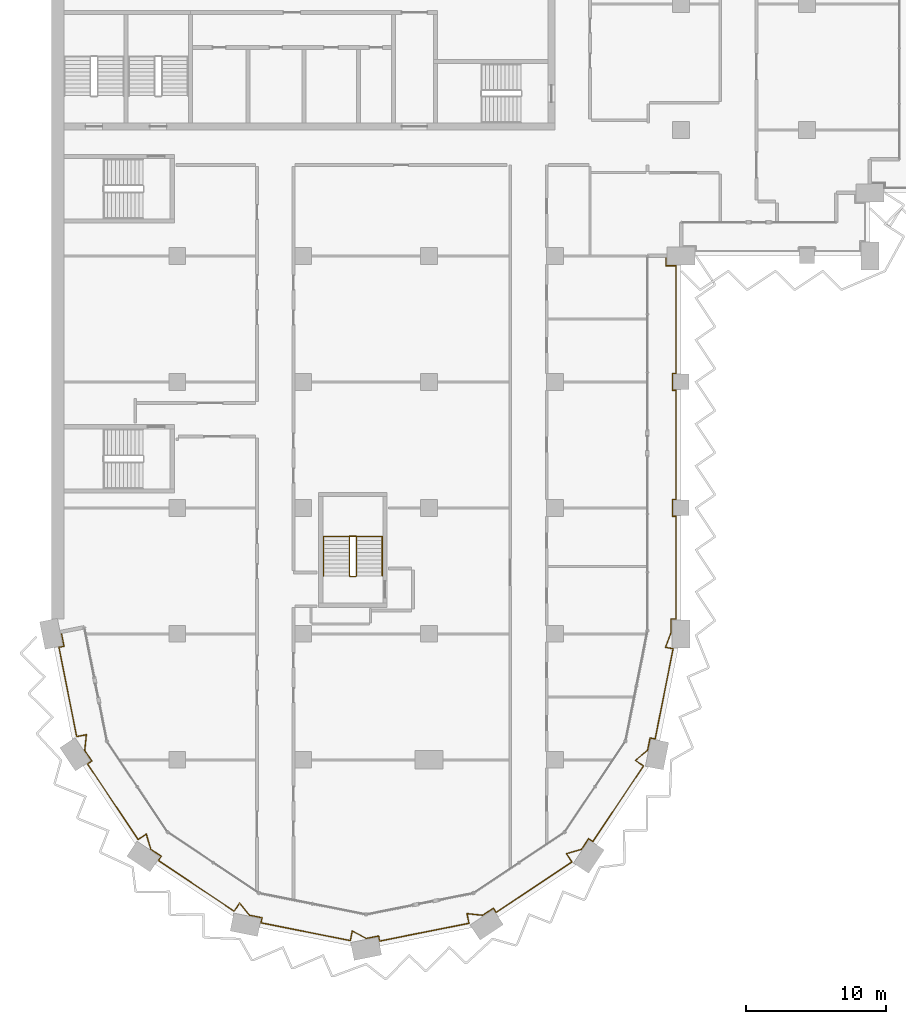
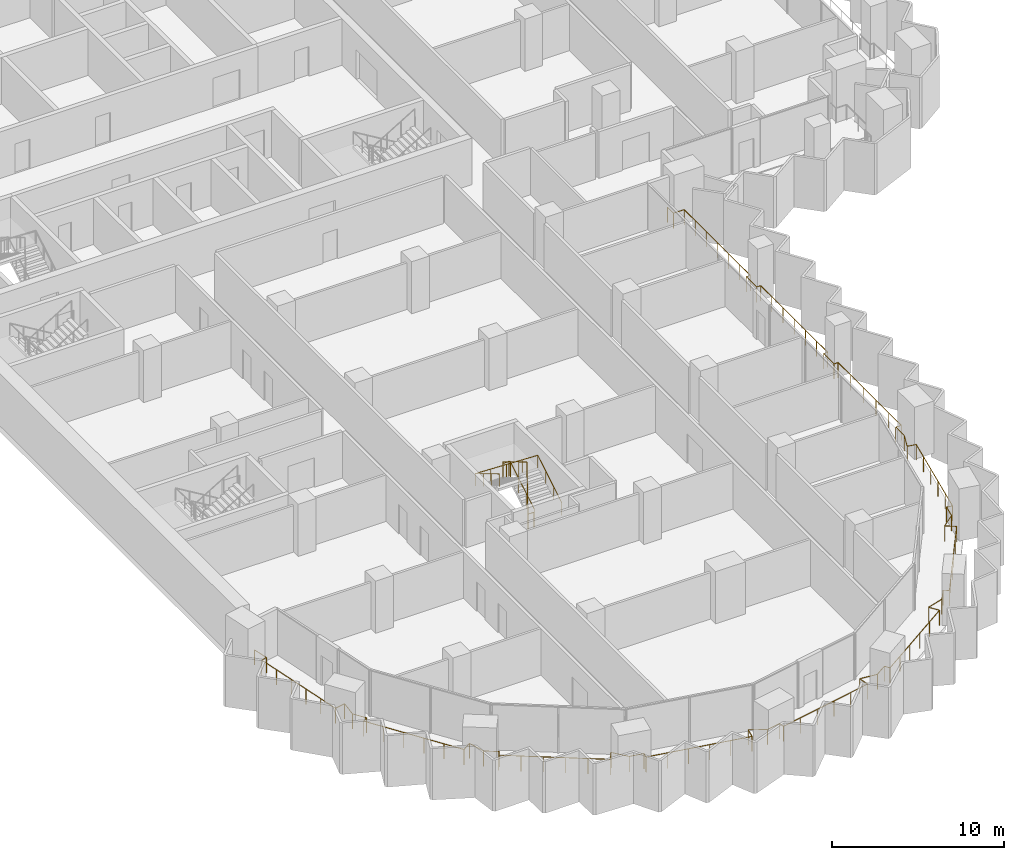
# One storey, part 19 of 22: 3 railings.
"""IFC4 building model written with IfcOpenShell, lengths in metres."""

from ifc_helpers import new_model, si_unit, direction, frame, origin, origin_2d, place, context, subcontext, project, spatial, circle, extrude, material, type_object, element, save


model = new_model("IFC4")

# Units and contexts
model_context = context("Model", 3, precision=1e-05, world=origin(), true_north=direction((0.0, 1.0)))
body_context = subcontext(model_context, "Body", "Model", "MODEL_VIEW")
ifc_project = project(units=[si_unit("LENGTHUNIT", "METRE"), si_unit("AREAUNIT", "SQUARE_METRE"), si_unit("VOLUMEUNIT", "CUBIC_METRE"), si_unit("PLANEANGLEUNIT", "RADIAN"), si_unit("MASSUNIT", "GRAM", prefix="KILO")], contexts=[model_context])

# Site, building, storey
site_placement = place(None, origin())
site = spatial("IfcSite", under=ifc_project, at=site_placement, CompositionType="ELEMENT")
building_placement = place(site_placement, origin())
building = spatial("IfcBuilding", under=site, at=building_placement, Name="Hunhe Ridgeline Campus", CompositionType="ELEMENT")
storey_placement = place(building_placement, frame((0.0, 0.0, 133.800048828125)))
storey = spatial("IfcBuildingStorey", under=building, at=storey_placement, Name="L33", CompositionType="ELEMENT", Elevation=133.800048828125)

# Railings
ifc_material_1 = material(Name="Steel Q355", Category="steel")
railing_type_1 = type_object("IfcRailingType", Name="Loggia guard 1100 Steel Q355", PredefinedType="GUARDRAIL", material=ifc_material_1)
railing_1_placement = place(storey_placement, frame((0.7060546875, 27.140380859375, 0.0)))
element("IfcRailing", 1, at=railing_1_placement, inside=storey, type_object=railing_type_1, Name="Loggia guard 1", PredefinedType="GUARDRAIL", context=body_context, shape_type="SweptSolid", body=[
    extrude(circle(Radius=0.02392578125, at=origin_2d()), frame((0.0, 0.0, 1.076171875), z_axis=(0.195087556151, -0.980785830564, 0.0), x_axis=(0.980785830564, 0.195087556151, 0.0)), (0.0, 0.0, 1.0), 1.050048828125),
    extrude(circle(Radius=0.02392578125, at=origin_2d()), frame((0.204833984375, -1.02978515625, 1.076171875), z_axis=(-0.980858940504, -0.194719641621, 0.0), x_axis=(0.194719641621, -0.980858940504, 0.0)), (0.0, 0.0, 1.0), 0.369873046875),
    extrude(circle(Radius=0.02392578125, at=origin_2d()), frame((-0.157958984375, -1.101806640625, 1.076171875), z_axis=(0.19507695386, -0.9807879394, 0.0), x_axis=(0.9807879394, 0.19507695386, 0.0)), (0.0, 0.0, 1.0), 6.506591796875),
    extrude(circle(Radius=0.02392578125, at=origin_2d()), frame((1.111328125, -7.4833984375, 1.076171875), z_axis=(0.980780459814, 0.195114555191, 0.0), x_axis=(-0.195114555191, 0.980780459814, 0.0)), (0.0, 0.0, 1.0), 0.703125),
    extrude(circle(Radius=0.02392578125, at=origin_2d()), frame((1.801025390625, -7.34619140625, 1.076171875), z_axis=(-0.102884402445, -0.994693319437, 0.0), x_axis=(0.994693319437, -0.102884402445, 0.0)), (0.0, 0.0, 1.0), 1.129638671875),
    extrude(circle(Radius=0.02392578125, at=origin_2d()), frame((1.684814453125, -8.4697265625, 1.076171875), z_axis=(0.555569523548, -0.831470086356, 0.0), x_axis=(0.831470086356, 0.555569523548, 0.0)), (0.0, 0.0, 1.0), 0.906982421875),
    extrude(circle(Radius=0.02392578125, at=origin_2d()), frame((2.188720703125, -9.223876953125, 1.076171875), z_axis=(-0.831440678638, -0.555613532868, 0.0), x_axis=(0.555613532868, -0.831440678638, 0.0)), (0.0, 0.0, 1.0), 0.369873046875),
    extrude(circle(Radius=0.02392578125, at=origin_2d()), frame((1.881103515625, -9.429443359375, 1.076171875), z_axis=(0.55556581165, -0.83147256655, 0.0), x_axis=(0.83147256655, 0.55556581165, 0.0)), (0.0, 0.0, 1.0), 6.50634765625),
    extrude(circle(Radius=0.02392578125, at=origin_2d()), frame((5.495849609375, -14.83935546875, 1.076171875), z_axis=(0.831355400166, 0.555741125539, 0.0), x_axis=(-0.555741125539, 0.831355400166, 0.0)), (0.0, 0.0, 1.0), 0.703369140625),
    extrude(circle(Radius=0.02392578125, at=origin_2d()), frame((6.08056640625, -14.448486328125, 1.076171875), z_axis=(0.285463917281, -0.958389457335, 0.0), x_axis=(0.958389457335, 0.285463917281, 0.0)), (0.0, 0.0, 1.0), 1.1298828125),
    extrude(circle(Radius=0.02392578125, at=origin_2d()), frame((6.403076171875, -15.53125, 1.076171875), z_axis=(0.831511358569, -0.555507750235, 0.0), x_axis=(0.555507750235, 0.831511358569, 0.0)), (0.0, 0.0, 1.0), 0.90673828125),
    extrude(circle(Radius=0.02392578125, at=origin_2d()), frame((7.156982421875, -16.034912109375, 1.076171875), z_axis=(-0.555613532868, -0.831440678638, 0.0), x_axis=(0.831440678638, -0.555613532868, 0.0)), (0.0, 0.0, 1.0), 0.369873046875),
    extrude(circle(Radius=0.02392578125, at=origin_2d()), frame((6.951416015625, -16.342529296875, 1.076171875), z_axis=(0.831455233209, -0.555591752251, 0.0), x_axis=(0.555591752251, 0.831455233209, 0.0)), (0.0, 0.0, 1.0), 6.506591796875),
    extrude(circle(Radius=0.02392578125, at=origin_2d()), frame((12.361328125, -19.95751953125, 1.076171875), z_axis=(0.555741125539, 0.831355400166, 0.0), x_axis=(-0.831355400166, 0.555741125539, 0.0)), (0.0, 0.0, 1.0), 0.703369140625),
    extrude(circle(Radius=0.02392578125, at=origin_2d()), frame((12.752197265625, -19.372802734375, 1.076171875), z_axis=(0.630633305327, -0.776080945657, 0.0), x_axis=(0.776080945657, 0.630633305327, 0.0)), (0.0, 0.0, 1.0), 1.129638671875),
    extrude(circle(Radius=0.02392578125, at=origin_2d()), frame((13.464599609375, -20.24951171875, 1.076171875), z_axis=(0.980807887006, -0.194976636516, 0.0), x_axis=(0.194976636516, 0.980807887006, 0.0)), (0.0, 0.0, 1.0), 0.906494140625),
    extrude(circle(Radius=0.02392578125, at=origin_2d()), frame((14.353759765625, -20.42626953125, 1.076171875), z_axis=(-0.194593653816, -0.980883943132, 0.0), x_axis=(0.980883943132, -0.194593653816, 0.0)), (0.0, 0.0, 1.0), 0.3701171875),
    extrude(circle(Radius=0.02392578125, at=origin_2d()), frame((14.28173828125, -20.789306640625, 1.076171875), z_axis=(0.98078651142, -0.195084133173, 0.0), x_axis=(0.195084133173, 0.98078651142, 0.0)), (0.0, 0.0, 1.0), 6.50634765625),
    extrude(circle(Radius=0.02392578125, at=origin_2d()), frame((20.6630859375, -22.05859375, 1.076171875), z_axis=(0.195114555191, 0.980780459814, 0.0), x_axis=(-0.980780459814, 0.195114555191, 0.0)), (0.0, 0.0, 1.0), 0.703125),
    extrude(circle(Radius=0.02392578125, at=origin_2d()), frame((20.80029296875, -21.368896484375, 1.076171875), z_axis=(0.879616090555, -0.475684278946, 0.0), x_axis=(0.475684278946, 0.879616090555, 0.0)), (0.0, 0.0, 1.0), 1.129638671875),
    extrude(circle(Radius=0.02392578125, at=origin_2d()), frame((21.7939453125, -21.90625, 1.076171875), z_axis=(0.98081812081, 0.194925149456, 0.0), x_axis=(-0.194925149456, 0.98081812081, 0.0)), (0.0, 0.0, 1.0), 0.90673828125),
    extrude(circle(Radius=0.02392578125, at=origin_2d()), frame((22.683349609375, -21.7294921875, 1.076171875), z_axis=(0.194719641621, -0.980858940504, 0.0), x_axis=(0.980858940504, 0.194719641621, 0.0)), (0.0, 0.0, 1.0), 0.369873046875),
    extrude(circle(Radius=0.02392578125, at=origin_2d()), frame((22.75537109375, -22.09228515625, 1.076171875), z_axis=(0.9807879394, 0.19507695386, 0.0), x_axis=(-0.19507695386, 0.9807879394, 0.0)), (0.0, 0.0, 1.0), 6.506591796875),
    extrude(circle(Radius=0.02392578125, at=origin_2d()), frame((29.136962890625, -20.822998046875, 1.076171875), z_axis=(-0.195114555191, 0.980780459814, 0.0), x_axis=(-0.980780459814, -0.195114555191, 0.0)), (0.0, 0.0, 1.0), 0.703125),
    extrude(circle(Radius=0.02392578125, at=origin_2d()), frame((28.999755859375, -20.13330078125, 1.076171875), z_axis=(0.994693319437, -0.102884402445, 0.0), x_axis=(0.102884402445, 0.994693319437, 0.0)), (0.0, 0.0, 1.0), 1.129638671875),
    extrude(circle(Radius=0.02392578125, at=origin_2d()), frame((30.123291015625, -20.24951171875, 1.076171875), z_axis=(0.831470086356, 0.555569523548, 0.0), x_axis=(-0.555569523548, 0.831470086356, 0.0)), (0.0, 0.0, 1.0), 0.906982421875),
    extrude(circle(Radius=0.02392578125, at=origin_2d()), frame((30.87744140625, -19.74560546875, 1.076171875), z_axis=(0.555613532868, -0.831440678638, 0.0), x_axis=(0.831440678638, 0.555613532868, 0.0)), (0.0, 0.0, 1.0), 0.369873046875),
    extrude(circle(Radius=0.02392578125, at=origin_2d()), frame((31.0830078125, -20.05322265625, 1.076171875), z_axis=(0.83147256655, 0.55556581165, 0.0), x_axis=(-0.55556581165, 0.83147256655, 0.0)), (0.0, 0.0, 1.0), 6.50634765625),
    extrude(circle(Radius=0.02392578125, at=origin_2d()), frame((36.492919921875, -16.4384765625, 1.076171875), z_axis=(-0.555741125539, 0.831355400166, 0.0), x_axis=(-0.831355400166, -0.555741125539, 0.0)), (0.0, 0.0, 1.0), 0.703369140625),
    extrude(circle(Radius=0.02392578125, at=origin_2d()), frame((36.10205078125, -15.853759765625, 1.076171875), z_axis=(0.958389457335, 0.285463917281, 0.0), x_axis=(-0.285463917281, 0.958389457335, 0.0)), (0.0, 0.0, 1.0), 1.1298828125),
    extrude(circle(Radius=0.02392578125, at=origin_2d()), frame((37.184814453125, -15.53125, 1.076171875), z_axis=(0.555507750235, 0.831511358569, 0.0), x_axis=(-0.831511358569, 0.555507750235, 0.0)), (0.0, 0.0, 1.0), 0.90673828125),
    extrude(circle(Radius=0.02392578125, at=origin_2d()), frame((37.6884765625, -14.77734375, 1.076171875), z_axis=(0.831440678638, -0.555613532868, 0.0), x_axis=(0.555613532868, 0.831440678638, 0.0)), (0.0, 0.0, 1.0), 0.369873046875),
    extrude(circle(Radius=0.02392578125, at=origin_2d()), frame((37.99609375, -14.98291015625, 1.076171875), z_axis=(0.555591752251, 0.831455233209, 0.0), x_axis=(-0.831455233209, 0.555591752251, 0.0)), (0.0, 0.0, 1.0), 6.506591796875),
    extrude(circle(Radius=0.02392578125, at=origin_2d()), frame((41.611083984375, -9.572998046875, 1.076171875), z_axis=(-0.831355400166, 0.555741125539, 0.0), x_axis=(-0.555741125539, -0.831355400166, 0.0)), (0.0, 0.0, 1.0), 0.703369140625),
    extrude(circle(Radius=0.02392578125, at=origin_2d()), frame((41.0263671875, -9.18212890625, 1.076171875), z_axis=(0.776080945657, 0.630633305327, 0.0), x_axis=(-0.630633305327, 0.776080945657, 0.0)), (0.0, 0.0, 1.0), 1.129638671875),
    extrude(circle(Radius=0.02392578125, at=origin_2d()), frame((41.903076171875, -8.4697265625, 1.076171875), z_axis=(0.194976636516, 0.980807887006, 0.0), x_axis=(-0.980807887006, 0.194976636516, 0.0)), (0.0, 0.0, 1.0), 0.906494140625),
    extrude(circle(Radius=0.02392578125, at=origin_2d()), frame((42.079833984375, -7.58056640625, 1.076171875), z_axis=(0.980883943132, -0.194593653816, 0.0), x_axis=(0.194593653816, 0.980883943132, 0.0)), (0.0, 0.0, 1.0), 0.3701171875),
    extrude(circle(Radius=0.02392578125, at=origin_2d()), frame((42.44287109375, -7.652587890625, 1.076171875), z_axis=(0.195087191819, 0.980785903033, 0.0), x_axis=(-0.980785903033, 0.195087191819, 0.0)), (0.0, 0.0, 1.0), 6.5712890625),
    extrude(circle(Radius=0.02392578125, at=origin_2d()), frame((43.724853515625, -1.20751953125, 1.076171875), z_axis=(-0.9807502228, 0.195266485801, 0.0), x_axis=(-0.195266485801, -0.9807502228, 0.0)), (0.0, 0.0, 1.0), 0.552734375),
    extrude(circle(Radius=0.02392578125, at=origin_2d()), frame((43.182861328125, -1.099609375, 1.076171875), z_axis=(0.354981524628, 0.934873316109, 0.0), x_axis=(-0.934873316109, 0.354981524628, 0.0)), (0.0, 0.0, 1.0), 1.101806640625),
    extrude(circle(Radius=0.02392578125, at=origin_2d()), frame((43.573974609375, -0.069580078125, 1.076171875), z_axis=(0.0, 1.0, 0.0), x_axis=(-1.0, 0.0, 0.0)), (0.0, 0.0, 1.0), 0.979248046875),
    extrude(circle(Radius=0.02392578125, at=origin_2d()), frame((43.573974609375, 0.90966796875, 1.076171875), z_axis=(1.0, 0.0, 0.0), x_axis=(0.0, 1.0, 0.0)), (0.0, 0.0, 1.0), 0.369873046875),
    extrude(circle(Radius=0.02392578125, at=origin_2d()), frame((43.94384765625, 0.90966796875, 1.076171875), z_axis=(0.0, 1.0, 0.0), x_axis=(-1.0, 0.0, 0.0)), (0.0, 0.0, 1.0), 7.349853515625),
    extrude(circle(Radius=0.02392578125, at=origin_2d()), frame((43.94384765625, 8.259521484375, 1.076171875), z_axis=(-1.0, 0.0, 0.0), x_axis=(0.0, -1.0, 0.0)), (0.0, 0.0, 1.0), 0.27001953125),
    extrude(circle(Radius=0.02392578125, at=origin_2d()), frame((43.673828125, 8.259521484375, 1.076171875), z_axis=(0.0, 1.0, 0.0), x_axis=(-1.0, 0.0, 0.0)), (0.0, 0.0, 1.0), 1.2001953125),
    extrude(circle(Radius=0.02392578125, at=origin_2d()), frame((43.673828125, 9.459716796875, 1.076171875), z_axis=(1.0, 0.0, 0.0), x_axis=(0.0, 1.0, 0.0)), (0.0, 0.0, 1.0), 0.27001953125),
    extrude(circle(Radius=0.02392578125, at=origin_2d()), frame((43.94384765625, 9.459716796875, 1.076171875), z_axis=(0.0, 1.0, 0.0), x_axis=(-1.0, 0.0, 0.0)), (0.0, 0.0, 1.0), 7.7998046875),
    extrude(circle(Radius=0.02392578125, at=origin_2d()), frame((43.94384765625, 17.259521484375, 1.076171875), z_axis=(-1.0, 0.0, 0.0), x_axis=(0.0, -1.0, 0.0)), (0.0, 0.0, 1.0), 0.27001953125),
    extrude(circle(Radius=0.02392578125, at=origin_2d()), frame((43.673828125, 17.259521484375, 1.076171875), z_axis=(0.0, 1.0, 0.0), x_axis=(-1.0, 0.0, 0.0)), (0.0, 0.0, 1.0), 1.2001953125),
    extrude(circle(Radius=0.02392578125, at=origin_2d()), frame((43.673828125, 18.459716796875, 1.076171875), z_axis=(1.0, 0.0, 0.0), x_axis=(0.0, 1.0, 0.0)), (0.0, 0.0, 1.0), 0.27001953125),
    extrude(circle(Radius=0.02392578125, at=origin_2d()), frame((43.94384765625, 18.459716796875, 1.076171875), z_axis=(0.0, 1.0, 0.0), x_axis=(-1.0, 0.0, 0.0)), (0.0, 0.0, 1.0), 7.699951171875),
    extrude(circle(Radius=0.02392578125, at=origin_2d()), frame((43.94384765625, 26.15966796875, 1.076171875), z_axis=(-1.0, 0.0, 0.0), x_axis=(0.0, -1.0, 0.0)), (0.0, 0.0, 1.0), 0.719970703125),
    extrude(circle(Radius=0.02392578125, at=origin_2d()), frame((43.223876953125, 26.15966796875, 1.076171875), z_axis=(0.0, 1.0, 0.0), x_axis=(-1.0, 0.0, 0.0)), (0.0, 0.0, 1.0), 0.699951171875),
    extrude(circle(Radius=0.02099609375, at=origin_2d()), origin(), (0.0, 0.0, 1.0), 1.052001953125),
    extrude(circle(Radius=0.02099609375, at=origin_2d()), frame((0.204833984375, -1.02978515625, 0.0)), (0.0, 0.0, 1.0), 1.052001953125),
    extrude(circle(Radius=0.02099609375, at=origin_2d()), frame((-0.157958984375, -1.101806640625, 0.0)), (0.0, 0.0, 1.0), 1.052001953125),
    extrude(circle(Radius=0.02099609375, at=origin_2d()), frame((0.095947265625, -2.378173828125, 0.0)), (0.0, 0.0, 1.0), 1.052001953125),
    extrude(circle(Radius=0.02099609375, at=origin_2d()), frame((0.349853515625, -3.654541015625, 0.0)), (0.0, 0.0, 1.0), 1.052001953125),
    extrude(circle(Radius=0.02099609375, at=origin_2d()), frame((0.603515625, -4.9306640625, 0.0)), (0.0, 0.0, 1.0), 1.052001953125),
    extrude(circle(Radius=0.02099609375, at=origin_2d()), frame((0.857421875, -6.20703125, 0.0)), (0.0, 0.0, 1.0), 1.052001953125),
    extrude(circle(Radius=0.02099609375, at=origin_2d()), frame((1.111328125, -7.4833984375, 0.0)), (0.0, 0.0, 1.0), 1.052001953125),
    extrude(circle(Radius=0.02099609375, at=origin_2d()), frame((1.801025390625, -7.34619140625, 0.0)), (0.0, 0.0, 1.0), 1.052001953125),
    extrude(circle(Radius=0.02099609375, at=origin_2d()), frame((1.684814453125, -8.4697265625, 0.0)), (0.0, 0.0, 1.0), 1.052001953125),
    extrude(circle(Radius=0.02099609375, at=origin_2d()), frame((2.188720703125, -9.223876953125, 0.0)), (0.0, 0.0, 1.0), 1.052001953125),
    extrude(circle(Radius=0.02099609375, at=origin_2d()), frame((1.881103515625, -9.429443359375, 0.0)), (0.0, 0.0, 1.0), 1.052001953125),
    extrude(circle(Radius=0.02099609375, at=origin_2d()), frame((2.60400390625, -10.511474609375, 0.0)), (0.0, 0.0, 1.0), 1.052001953125),
    extrude(circle(Radius=0.02099609375, at=origin_2d()), frame((3.326904296875, -11.593505859375, 0.0)), (0.0, 0.0, 1.0), 1.052001953125),
    extrude(circle(Radius=0.02099609375, at=origin_2d()), frame((4.050048828125, -12.67529296875, 0.0)), (0.0, 0.0, 1.0), 1.052001953125),
    extrude(circle(Radius=0.02099609375, at=origin_2d()), frame((4.77294921875, -13.75732421875, 0.0)), (0.0, 0.0, 1.0), 1.052001953125),
    extrude(circle(Radius=0.02099609375, at=origin_2d()), frame((5.495849609375, -14.83935546875, 0.0)), (0.0, 0.0, 1.0), 1.052001953125),
    extrude(circle(Radius=0.02099609375, at=origin_2d()), frame((6.08056640625, -14.448486328125, 0.0)), (0.0, 0.0, 1.0), 1.052001953125),
    extrude(circle(Radius=0.02099609375, at=origin_2d()), frame((6.403076171875, -15.53125, 0.0)), (0.0, 0.0, 1.0), 1.052001953125),
    extrude(circle(Radius=0.02099609375, at=origin_2d()), frame((7.156982421875, -16.034912109375, 0.0)), (0.0, 0.0, 1.0), 1.052001953125),
    extrude(circle(Radius=0.02099609375, at=origin_2d()), frame((6.951416015625, -16.342529296875, 0.0)), (0.0, 0.0, 1.0), 1.052001953125),
    extrude(circle(Radius=0.02099609375, at=origin_2d()), frame((8.033447265625, -17.0654296875, 0.0)), (0.0, 0.0, 1.0), 1.052001953125),
    extrude(circle(Radius=0.02099609375, at=origin_2d()), frame((9.115478515625, -17.78857421875, 0.0)), (0.0, 0.0, 1.0), 1.052001953125),
    extrude(circle(Radius=0.02099609375, at=origin_2d()), frame((10.197265625, -18.511474609375, 0.0)), (0.0, 0.0, 1.0), 1.052001953125),
    extrude(circle(Radius=0.02099609375, at=origin_2d()), frame((11.279296875, -19.234619140625, 0.0)), (0.0, 0.0, 1.0), 1.052001953125),
    extrude(circle(Radius=0.02099609375, at=origin_2d()), frame((12.361328125, -19.95751953125, 0.0)), (0.0, 0.0, 1.0), 1.052001953125),
    extrude(circle(Radius=0.02099609375, at=origin_2d()), frame((12.752197265625, -19.372802734375, 0.0)), (0.0, 0.0, 1.0), 1.052001953125),
    extrude(circle(Radius=0.02099609375, at=origin_2d()), frame((13.464599609375, -20.24951171875, 0.0)), (0.0, 0.0, 1.0), 1.052001953125),
    extrude(circle(Radius=0.02099609375, at=origin_2d()), frame((14.353759765625, -20.42626953125, 0.0)), (0.0, 0.0, 1.0), 1.052001953125),
    extrude(circle(Radius=0.02099609375, at=origin_2d()), frame((14.28173828125, -20.789306640625, 0.0)), (0.0, 0.0, 1.0), 1.052001953125),
    extrude(circle(Radius=0.02099609375, at=origin_2d()), frame((15.55810546875, -21.043212890625, 0.0)), (0.0, 0.0, 1.0), 1.052001953125),
    extrude(circle(Radius=0.02099609375, at=origin_2d()), frame((16.834228515625, -21.297119140625, 0.0)), (0.0, 0.0, 1.0), 1.052001953125),
    extrude(circle(Radius=0.02099609375, at=origin_2d()), frame((18.110595703125, -21.55078125, 0.0)), (0.0, 0.0, 1.0), 1.052001953125),
    extrude(circle(Radius=0.02099609375, at=origin_2d()), frame((19.38671875, -21.8046875, 0.0)), (0.0, 0.0, 1.0), 1.052001953125),
    extrude(circle(Radius=0.02099609375, at=origin_2d()), frame((20.6630859375, -22.05859375, 0.0)), (0.0, 0.0, 1.0), 1.052001953125),
    extrude(circle(Radius=0.02099609375, at=origin_2d()), frame((20.80029296875, -21.368896484375, 0.0)), (0.0, 0.0, 1.0), 1.052001953125),
    extrude(circle(Radius=0.02099609375, at=origin_2d()), frame((21.7939453125, -21.90625, 0.0)), (0.0, 0.0, 1.0), 1.052001953125),
    extrude(circle(Radius=0.02099609375, at=origin_2d()), frame((22.683349609375, -21.7294921875, 0.0)), (0.0, 0.0, 1.0), 1.052001953125),
    extrude(circle(Radius=0.02099609375, at=origin_2d()), frame((22.75537109375, -22.09228515625, 0.0)), (0.0, 0.0, 1.0), 1.052001953125),
    extrude(circle(Radius=0.02099609375, at=origin_2d()), frame((24.03173828125, -21.83837890625, 0.0)), (0.0, 0.0, 1.0), 1.052001953125),
    extrude(circle(Radius=0.02099609375, at=origin_2d()), frame((25.30810546875, -21.58447265625, 0.0)), (0.0, 0.0, 1.0), 1.052001953125),
    extrude(circle(Radius=0.02099609375, at=origin_2d()), frame((26.584228515625, -21.330810546875, 0.0)), (0.0, 0.0, 1.0), 1.052001953125),
    extrude(circle(Radius=0.02099609375, at=origin_2d()), frame((27.860595703125, -21.076904296875, 0.0)), (0.0, 0.0, 1.0), 1.052001953125),
    extrude(circle(Radius=0.02099609375, at=origin_2d()), frame((29.136962890625, -20.822998046875, 0.0)), (0.0, 0.0, 1.0), 1.052001953125),
    extrude(circle(Radius=0.02099609375, at=origin_2d()), frame((28.999755859375, -20.13330078125, 0.0)), (0.0, 0.0, 1.0), 1.052001953125),
    extrude(circle(Radius=0.02099609375, at=origin_2d()), frame((30.123291015625, -20.24951171875, 0.0)), (0.0, 0.0, 1.0), 1.052001953125),
    extrude(circle(Radius=0.02099609375, at=origin_2d()), frame((30.87744140625, -19.74560546875, 0.0)), (0.0, 0.0, 1.0), 1.052001953125),
    extrude(circle(Radius=0.02099609375, at=origin_2d()), frame((31.0830078125, -20.05322265625, 0.0)), (0.0, 0.0, 1.0), 1.052001953125),
    extrude(circle(Radius=0.02099609375, at=origin_2d()), frame((32.1650390625, -19.330322265625, 0.0)), (0.0, 0.0, 1.0), 1.052001953125),
    extrude(circle(Radius=0.02099609375, at=origin_2d()), frame((33.2470703125, -18.607421875, 0.0)), (0.0, 0.0, 1.0), 1.052001953125),
    extrude(circle(Radius=0.02099609375, at=origin_2d()), frame((34.328857421875, -17.88427734375, 0.0)), (0.0, 0.0, 1.0), 1.052001953125),
    extrude(circle(Radius=0.02099609375, at=origin_2d()), frame((35.410888671875, -17.161376953125, 0.0)), (0.0, 0.0, 1.0), 1.052001953125),
    extrude(circle(Radius=0.02099609375, at=origin_2d()), frame((36.492919921875, -16.4384765625, 0.0)), (0.0, 0.0, 1.0), 1.052001953125),
    extrude(circle(Radius=0.02099609375, at=origin_2d()), frame((36.10205078125, -15.853759765625, 0.0)), (0.0, 0.0, 1.0), 1.052001953125),
    extrude(circle(Radius=0.02099609375, at=origin_2d()), frame((37.184814453125, -15.53125, 0.0)), (0.0, 0.0, 1.0), 1.052001953125),
    extrude(circle(Radius=0.02099609375, at=origin_2d()), frame((37.6884765625, -14.77734375, 0.0)), (0.0, 0.0, 1.0), 1.052001953125),
    extrude(circle(Radius=0.02099609375, at=origin_2d()), frame((37.99609375, -14.98291015625, 0.0)), (0.0, 0.0, 1.0), 1.052001953125),
    extrude(circle(Radius=0.02099609375, at=origin_2d()), frame((38.718994140625, -13.90087890625, 0.0)), (0.0, 0.0, 1.0), 1.052001953125),
    extrude(circle(Radius=0.02099609375, at=origin_2d()), frame((39.442138671875, -12.81884765625, 0.0)), (0.0, 0.0, 1.0), 1.052001953125),
    extrude(circle(Radius=0.02099609375, at=origin_2d()), frame((40.1650390625, -11.737060546875, 0.0)), (0.0, 0.0, 1.0), 1.052001953125),
    extrude(circle(Radius=0.02099609375, at=origin_2d()), frame((40.88818359375, -10.655029296875, 0.0)), (0.0, 0.0, 1.0), 1.052001953125),
    extrude(circle(Radius=0.02099609375, at=origin_2d()), frame((41.611083984375, -9.572998046875, 0.0)), (0.0, 0.0, 1.0), 1.052001953125),
    extrude(circle(Radius=0.02099609375, at=origin_2d()), frame((41.0263671875, -9.18212890625, 0.0)), (0.0, 0.0, 1.0), 1.052001953125),
    extrude(circle(Radius=0.02099609375, at=origin_2d()), frame((41.903076171875, -8.4697265625, 0.0)), (0.0, 0.0, 1.0), 1.052001953125),
    extrude(circle(Radius=0.02099609375, at=origin_2d()), frame((42.079833984375, -7.58056640625, 0.0)), (0.0, 0.0, 1.0), 1.052001953125),
    extrude(circle(Radius=0.02099609375, at=origin_2d()), frame((42.44287109375, -7.652587890625, 0.0)), (0.0, 0.0, 1.0), 1.052001953125),
    extrude(circle(Radius=0.02099609375, at=origin_2d()), frame((42.69921875, -6.363525390625, 0.0)), (0.0, 0.0, 1.0), 1.052001953125),
    extrude(circle(Radius=0.02099609375, at=origin_2d()), frame((42.95556640625, -5.074462890625, 0.0)), (0.0, 0.0, 1.0), 1.052001953125),
    extrude(circle(Radius=0.02099609375, at=origin_2d()), frame((43.212158203125, -3.78564453125, 0.0)), (0.0, 0.0, 1.0), 1.052001953125),
    extrude(circle(Radius=0.02099609375, at=origin_2d()), frame((43.468505859375, -2.49658203125, 0.0)), (0.0, 0.0, 1.0), 1.052001953125),
    extrude(circle(Radius=0.02099609375, at=origin_2d()), frame((43.724853515625, -1.20751953125, 0.0)), (0.0, 0.0, 1.0), 1.052001953125),
    extrude(circle(Radius=0.02099609375, at=origin_2d()), frame((43.182861328125, -1.099609375, 0.0)), (0.0, 0.0, 1.0), 1.052001953125),
    extrude(circle(Radius=0.02099609375, at=origin_2d()), frame((43.573974609375, -0.069580078125, 0.0)), (0.0, 0.0, 1.0), 1.052001953125),
    extrude(circle(Radius=0.02099609375, at=origin_2d()), frame((43.573974609375, 0.90966796875, 0.0)), (0.0, 0.0, 1.0), 1.052001953125),
    extrude(circle(Radius=0.02099609375, at=origin_2d()), frame((43.94384765625, 0.90966796875, 0.0)), (0.0, 0.0, 1.0), 1.052001953125),
    extrude(circle(Radius=0.02099609375, at=origin_2d()), frame((43.94384765625, 2.379638671875, 0.0)), (0.0, 0.0, 1.0), 1.052001953125),
    extrude(circle(Radius=0.02099609375, at=origin_2d()), frame((43.94384765625, 3.849609375, 0.0)), (0.0, 0.0, 1.0), 1.052001953125),
    extrude(circle(Radius=0.02099609375, at=origin_2d()), frame((43.94384765625, 5.319580078125, 0.0)), (0.0, 0.0, 1.0), 1.052001953125),
    extrude(circle(Radius=0.02099609375, at=origin_2d()), frame((43.94384765625, 6.78955078125, 0.0)), (0.0, 0.0, 1.0), 1.052001953125),
    extrude(circle(Radius=0.02099609375, at=origin_2d()), frame((43.94384765625, 8.259521484375, 0.0)), (0.0, 0.0, 1.0), 1.052001953125),
    extrude(circle(Radius=0.02099609375, at=origin_2d()), frame((43.673828125, 8.259521484375, 0.0)), (0.0, 0.0, 1.0), 1.052001953125),
    extrude(circle(Radius=0.02099609375, at=origin_2d()), frame((43.673828125, 9.459716796875, 0.0)), (0.0, 0.0, 1.0), 1.052001953125),
    extrude(circle(Radius=0.02099609375, at=origin_2d()), frame((43.94384765625, 9.459716796875, 0.0)), (0.0, 0.0, 1.0), 1.052001953125),
    extrude(circle(Radius=0.02099609375, at=origin_2d()), frame((43.94384765625, 10.759765625, 0.0)), (0.0, 0.0, 1.0), 1.052001953125),
    extrude(circle(Radius=0.02099609375, at=origin_2d()), frame((43.94384765625, 12.0595703125, 0.0)), (0.0, 0.0, 1.0), 1.052001953125),
    extrude(circle(Radius=0.02099609375, at=origin_2d()), frame((43.94384765625, 13.359619140625, 0.0)), (0.0, 0.0, 1.0), 1.052001953125),
    extrude(circle(Radius=0.02099609375, at=origin_2d()), frame((43.94384765625, 14.65966796875, 0.0)), (0.0, 0.0, 1.0), 1.052001953125),
    extrude(circle(Radius=0.02099609375, at=origin_2d()), frame((43.94384765625, 15.95947265625, 0.0)), (0.0, 0.0, 1.0), 1.052001953125),
    extrude(circle(Radius=0.02099609375, at=origin_2d()), frame((43.94384765625, 17.259521484375, 0.0)), (0.0, 0.0, 1.0), 1.052001953125),
    extrude(circle(Radius=0.02099609375, at=origin_2d()), frame((43.673828125, 17.259521484375, 0.0)), (0.0, 0.0, 1.0), 1.052001953125),
    extrude(circle(Radius=0.02099609375, at=origin_2d()), frame((43.673828125, 18.459716796875, 0.0)), (0.0, 0.0, 1.0), 1.052001953125),
    extrude(circle(Radius=0.02099609375, at=origin_2d()), frame((43.94384765625, 18.459716796875, 0.0)), (0.0, 0.0, 1.0), 1.052001953125),
    extrude(circle(Radius=0.02099609375, at=origin_2d()), frame((43.94384765625, 19.7431640625, 0.0)), (0.0, 0.0, 1.0), 1.052001953125),
    extrude(circle(Radius=0.02099609375, at=origin_2d()), frame((43.94384765625, 21.0263671875, 0.0)), (0.0, 0.0, 1.0), 1.052001953125),
    extrude(circle(Radius=0.02099609375, at=origin_2d()), frame((43.94384765625, 22.3095703125, 0.0)), (0.0, 0.0, 1.0), 1.052001953125),
    extrude(circle(Radius=0.02099609375, at=origin_2d()), frame((43.94384765625, 23.593017578125, 0.0)), (0.0, 0.0, 1.0), 1.052001953125),
    extrude(circle(Radius=0.02099609375, at=origin_2d()), frame((43.94384765625, 24.87646484375, 0.0)), (0.0, 0.0, 1.0), 1.052001953125),
    extrude(circle(Radius=0.02099609375, at=origin_2d()), frame((43.94384765625, 26.15966796875, 0.0)), (0.0, 0.0, 1.0), 1.052001953125),
    extrude(circle(Radius=0.02099609375, at=origin_2d()), frame((43.223876953125, 26.15966796875, 0.0)), (0.0, 0.0, 1.0), 1.052001953125),
    extrude(circle(Radius=0.02099609375, at=origin_2d()), frame((43.223876953125, 26.859619140625, 0.0)), (0.0, 0.0, 1.0), 1.052001953125),
])
ifc_material_2 = material(Name="Stainless steel balustrade", Category="steel")
railing_type_2 = type_object("IfcRailingType", Name="Stair guard 1100 stainless", PredefinedType="GUARDRAIL", material=ifc_material_2)
railing_2_placement = place(storey_placement, frame((21.800048828125, 31.14990234375, 0.168212890625)))
element("IfcRailing", 2, at=railing_2_placement, inside=storey, type_object=railing_type_2, Name="L33 stair W3 guard", PredefinedType="GUARDRAIL", context=body_context, shape_type="SweptSolid", body=[
    extrude(circle(Radius=0.02392578125, at=origin_2d()), frame((0.0, 0.0, 1.076171875), z_axis=(0.0, 0.857275202839, 0.514858452973), x_axis=(-1.0, 0.0, 0.0)), (0.0, 0.0, 1.0), 3.26611328125),
    extrude(circle(Radius=0.02392578125, at=origin_2d()), frame((0.0, 2.800048828125, 2.7578125), z_axis=(-0.707106781187, 0.707106781187, 0.0), x_axis=(-0.707106781187, -0.707106781187, 0.0)), (0.0, 0.0, 1.0), 0.07080078125),
    extrude(circle(Radius=0.02392578125, at=origin_2d()), frame((-0.050048828125, 2.85009765625, 2.7578125), z_axis=(-1.0, 0.0, 0.0), x_axis=(0.0, -1.0, 0.0)), (0.0, 0.0, 1.0), 0.39990234375),
    extrude(circle(Radius=0.02392578125, at=origin_2d()), frame((-0.449951171875, 2.85009765625, 2.7578125), z_axis=(-0.274243871929, -0.274243871929, 0.92172696468), x_axis=(0.707106781187, -0.707106781187, 0.0)), (0.0, 0.0, 1.0), 0.1826171875),
    extrude(circle(Radius=0.02392578125, at=origin_2d()), frame((-0.5, 2.800048828125, 2.92578125), z_axis=(0.0, -0.857242210791, 0.514913383045), x_axis=(1.0, 0.0, 0.0)), (0.0, 0.0, 1.0), 3.266357421875),
    extrude(circle(Radius=0.02392578125, at=origin_2d()), frame((-0.5, 0.0, 4.60791015625), z_axis=(0.013524426427, -0.013458453615, -0.999817963389), x_axis=(0.705375805398, 0.708833529934, 0.0)), (0.0, 0.0, 1.0), 3.70068359375),
    extrude(circle(Radius=0.02392578125, at=origin_2d()), frame((-0.449951171875, -0.0498046875, 0.90771484375), z_axis=(1.0, 0.0, 0.0), x_axis=(0.0, 1.0, 0.0)), (0.0, 0.0, 1.0), 0.39990234375),
    extrude(circle(Radius=0.02099609375, at=origin_2d()), origin(), (0.0, 0.0, 1.0), 1.052001953125),
    extrude(circle(Radius=0.02099609375, at=origin_2d()), frame((0.0, 0.933349609375, 0.560546875)), (0.0, 0.0, 1.0), 1.052001953125),
    extrude(circle(Radius=0.02099609375, at=origin_2d()), frame((0.0, 1.86669921875, 1.12109375)), (0.0, 0.0, 1.0), 1.052001953125),
    extrude(circle(Radius=0.02099609375, at=origin_2d()), frame((0.0, 2.800048828125, 1.681640625)), (0.0, 0.0, 1.0), 1.052001953125),
    extrude(circle(Radius=0.02099609375, at=origin_2d()), frame((-0.050048828125, 2.85009765625, 1.681640625)), (0.0, 0.0, 1.0), 1.052001953125),
    extrude(circle(Radius=0.02099609375, at=origin_2d()), frame((-0.449951171875, 2.85009765625, 1.681640625)), (0.0, 0.0, 1.0), 1.052001953125),
    extrude(circle(Radius=0.02099609375, at=origin_2d()), frame((-0.5, 2.800048828125, 1.849853515625)), (0.0, 0.0, 1.0), 1.052001953125),
    extrude(circle(Radius=0.02099609375, at=origin_2d()), frame((-0.5, 1.86669921875, 2.410400390625)), (0.0, 0.0, 1.0), 1.052001953125),
    extrude(circle(Radius=0.02099609375, at=origin_2d()), frame((-0.5, 0.933349609375, 2.97119140625)), (0.0, 0.0, 1.0), 1.052001953125),
    extrude(circle(Radius=0.02099609375, at=origin_2d()), frame((-0.5, 0.0, 3.53173828125)), (0.0, 0.0, 1.0), 1.052001953125),
    extrude(circle(Radius=0.02099609375, at=origin_2d()), frame((-0.487548828125, -0.012451171875, 2.606689453125)), (0.0, 0.0, 1.0), 1.052001953125),
    extrude(circle(Radius=0.02099609375, at=origin_2d()), frame((-0.47509765625, -0.02490234375, 1.681640625)), (0.0, 0.0, 1.0), 1.052001953125),
    extrude(circle(Radius=0.02099609375, at=origin_2d()), frame((-0.46240234375, -0.037353515625, 0.7568359375)), (0.0, 0.0, 1.0), 1.052001953125),
    extrude(circle(Radius=0.02099609375, at=origin_2d()), frame((-0.449951171875, -0.0498046875, -0.168212890625)), (0.0, 0.0, 1.0), 1.052001953125),
    extrude(circle(Radius=0.02099609375, at=origin_2d()), frame((-0.050048828125, -0.0498046875, -0.168212890625)), (0.0, 0.0, 1.0), 1.052001953125),
])
ifc_material_3 = material(Name="Stainless steel handrail", Category="steel")
railing_type_3 = type_object("IfcRailingType", Name="Stair handrail 900 stainless", PredefinedType="HANDRAIL", material=ifc_material_3)
railing_3_placement = place(storey_placement, frame((23.64990234375, 31.14990234375, 0.168212890625)))
element("IfcRailing", 3, at=railing_3_placement, inside=storey, type_object=railing_type_3, Name="L33 stair W3 handrail", PredefinedType="HANDRAIL", context=body_context, shape_type="SweptSolid", body=[
    extrude(circle(Radius=0.02392578125, at=origin_2d()), frame((0.0, 0.0, 0.8759765625), z_axis=(0.0, 0.857275202839, 0.514858452973), x_axis=(-1.0, 0.0, 0.0)), (0.0, 0.0, 1.0), 3.26611328125),
    extrude(circle(Radius=0.02392578125, at=origin_2d()), frame((0.0, 2.800048828125, 2.5576171875), z_axis=(-0.999198916169, 0.0, 0.040019069537), x_axis=(0.0, -1.0, 0.0)), (0.0, 0.0, 1.0), 4.203369140625),
    extrude(circle(Radius=0.02392578125, at=origin_2d()), frame((-4.199951171875, 2.800048828125, 2.7255859375), z_axis=(0.0, -0.857242210791, 0.514913383045), x_axis=(1.0, 0.0, 0.0)), (0.0, 0.0, 1.0), 3.266357421875),
    extrude(circle(Radius=0.02099609375, at=origin_2d()), origin(), (0.0, 0.0, 1.0), 0.851806640625),
    extrude(circle(Radius=0.02099609375, at=origin_2d()), frame((0.0, 0.933349609375, 0.560546875)), (0.0, 0.0, 1.0), 0.851806640625),
    extrude(circle(Radius=0.02099609375, at=origin_2d()), frame((0.0, 1.86669921875, 1.12109375)), (0.0, 0.0, 1.0), 0.851806640625),
    extrude(circle(Radius=0.02099609375, at=origin_2d()), frame((0.0, 2.800048828125, 1.681640625)), (0.0, 0.0, 1.0), 0.851806640625),
    extrude(circle(Radius=0.02099609375, at=origin_2d()), frame((-1.050048828125, 2.800048828125, 1.7236328125)), (0.0, 0.0, 1.0), 0.851806640625),
    extrude(circle(Radius=0.02099609375, at=origin_2d()), frame((-2.10009765625, 2.800048828125, 1.765625)), (0.0, 0.0, 1.0), 0.851806640625),
    extrude(circle(Radius=0.02099609375, at=origin_2d()), frame((-3.14990234375, 2.800048828125, 1.807861328125)), (0.0, 0.0, 1.0), 0.851806640625),
    extrude(circle(Radius=0.02099609375, at=origin_2d()), frame((-4.199951171875, 2.800048828125, 1.849853515625)), (0.0, 0.0, 1.0), 0.851806640625),
    extrude(circle(Radius=0.02099609375, at=origin_2d()), frame((-4.199951171875, 1.86669921875, 2.410400390625)), (0.0, 0.0, 1.0), 0.851806640625),
    extrude(circle(Radius=0.02099609375, at=origin_2d()), frame((-4.199951171875, 0.933349609375, 2.97119140625)), (0.0, 0.0, 1.0), 0.851806640625),
    extrude(circle(Radius=0.02099609375, at=origin_2d()), frame((-4.199951171875, 0.0, 3.53173828125)), (0.0, 0.0, 1.0), 0.851806640625),
])

save(model, "model.ifc")
